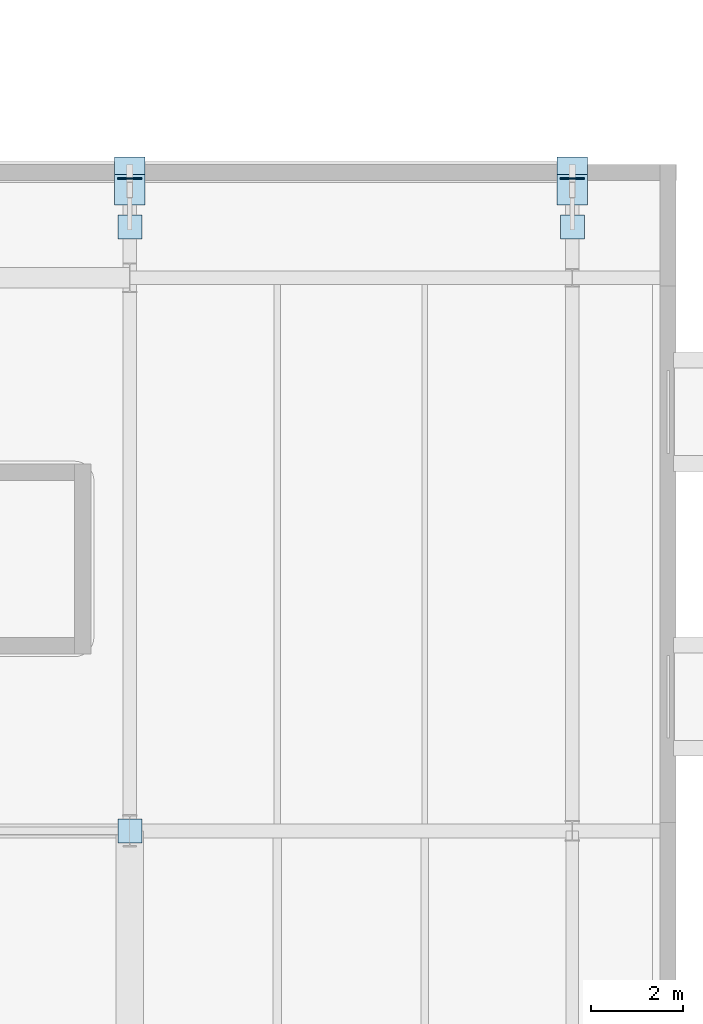
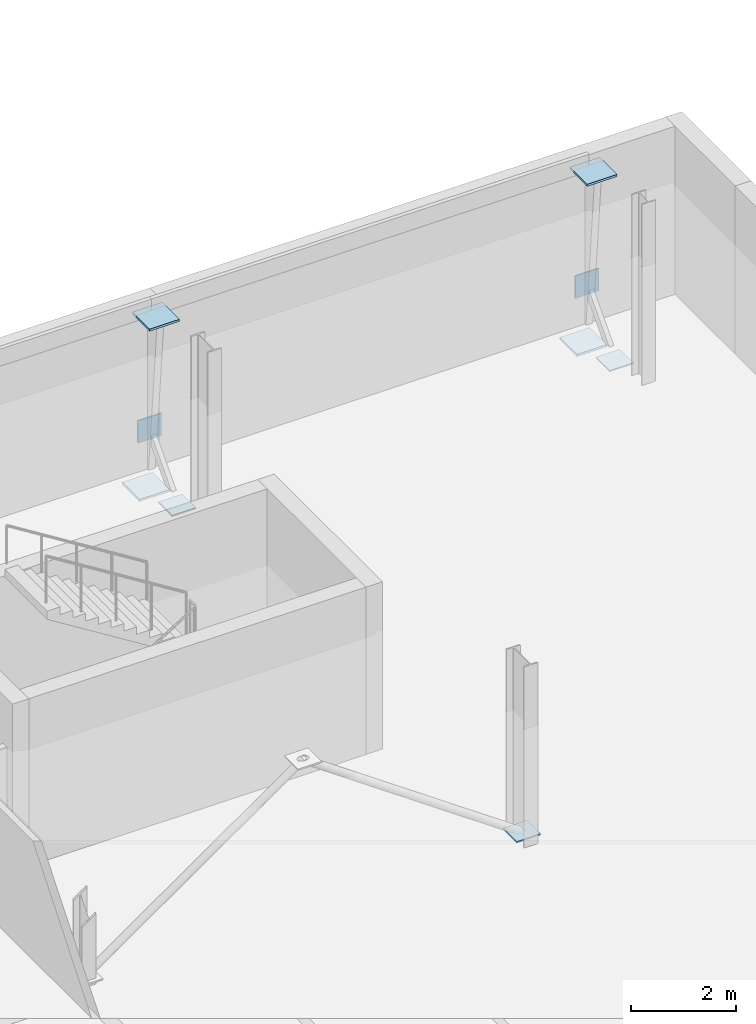
# One storey, part 54 of 90: 9 plates.
"""IFC4 building model written with IfcOpenShell, lengths in metres."""

from ifc_helpers import new_model, si_unit, direction, frame, origin, origin_2d, place, context, subcontext, project, spatial, rectangle, extrude, material, layer, layer_set, type_object, element, save


model = new_model("IFC4")

# Units and contexts
model_context = context("Model", 3, precision=1e-05, world=origin(), true_north=direction((0.0, 1.0)))
body_context = subcontext(model_context, "Body", "Model", "MODEL_VIEW")
ifc_project = project(units=[si_unit("LENGTHUNIT", "METRE"), si_unit("AREAUNIT", "SQUARE_METRE"), si_unit("VOLUMEUNIT", "CUBIC_METRE"), si_unit("PLANEANGLEUNIT", "RADIAN"), si_unit("MASSUNIT", "GRAM", prefix="KILO")], contexts=[model_context])

# Site, building, storey
site_placement = place(None, origin())
site = spatial("IfcSite", under=ifc_project, at=site_placement, CompositionType="ELEMENT")
building_placement = place(site_placement, origin())
building = spatial("IfcBuilding", under=site, at=building_placement, Name="Zereglee Splitstone Museum", CompositionType="ELEMENT")
storey_placement = place(building_placement, frame((0.0, 0.0, 4.800048828125)))
storey = spatial("IfcBuildingStorey", under=building, at=storey_placement, Name="L01", CompositionType="ELEMENT", Elevation=4.800048828125)

# Plates
ifc_material = material(Name="Steel S355J2", Category="steel")
ifc_layer_1 = layer(ifc_material, 0.030029296875)
ifc_layer_set_1 = layer_set([ifc_layer_1], Name="Steel S355J2")
plate_type_1 = type_object("IfcPlateType", Name="NP-04", PredefinedType="SHEET", material=ifc_layer_set_1)
for number, where, z_axis, x_axis, name in (
    (1, (135.60009765625, 38.39990234375, 0.10498046875), (0.0, 0.0, 1.0), (1.0, 0.0, 0.0), "CBF Brace Gusset Cap L01-011"),
    (2, (135.60009765625, 51.5, -0.27490234375), (0.0, 0.0, 1.0), (1.0, 0.0, 0.0), "Facet Tie Seal Plate FH-V2NE"),
):
    element("IfcPlate", number, at=place(storey_placement, frame(where, z_axis=z_axis, x_axis=x_axis)), inside=storey, type_object=plate_type_1, Name=name, PredefinedType="SHEET", context=body_context, shape_type="SweptSolid", body=[
        extrude(rectangle(XDim=0.52001953125, YDim=0.52001953125, at=origin_2d()), origin(), (0.0, 0.0, 1.0), 0.030029296875),
    ])
plate_1_placement = place(storey_placement, frame((135.60009765625, 52.55419921875, 0.639892578125), z_axis=(0.0, 0.0, 1.0), x_axis=(1.0, 0.0, 0.0)))
element("IfcPlate", 3, at=plate_1_placement, inside=storey, type_object=plate_type_1, Name="Facet Tie Seal Plate FH-V2NE", PredefinedType="SHEET", context=body_context, shape_type="SweptSolid", body=[
    extrude(rectangle(XDim=0.52001953125, YDim=0.030029296875, at=origin_2d()), origin(), (0.0, 0.0, 1.0), 0.52001953125),
])
plate_2_placement = place(storey_placement, frame((145.199951171875, 51.5, -0.27490234375), z_axis=(0.0, 0.0, 1.0), x_axis=(1.0, 0.0, 0.0)))
element("IfcPlate", 4, at=plate_2_placement, inside=storey, type_object=plate_type_1, Name="Facet Tie Seal Plate FH-V2NE", PredefinedType="SHEET", context=body_context, shape_type="SweptSolid", body=[
    extrude(rectangle(XDim=0.52001953125, YDim=0.52001953125, at=origin_2d()), origin(), (0.0, 0.0, 1.0), 0.030029296875),
])
plate_3_placement = place(storey_placement, frame((145.199951171875, 52.55419921875, 0.639892578125), z_axis=(0.0, 0.0, 1.0), x_axis=(1.0, 0.0, 0.0)))
element("IfcPlate", 5, at=plate_3_placement, inside=storey, type_object=plate_type_1, Name="Facet Tie Seal Plate FH-V2NE", PredefinedType="SHEET", context=body_context, shape_type="SweptSolid", body=[
    extrude(rectangle(XDim=0.52001953125, YDim=0.030029296875, at=origin_2d()), origin(), (0.0, 0.0, 1.0), 0.52001953125),
])
ifc_layer_2 = layer(ifc_material, 0.050048828125)
ifc_layer_set_2 = layer_set([ifc_layer_2], Name="Steel S355J2")
plate_type_2 = type_object("IfcPlateType", Name="NP-02", PredefinedType="SHEET", material=ifc_layer_set_2)
for number, where, z_axis, x_axis, name in (
    (6, (135.60009765625, 52.6865234375, -0.5751953125), (0.0, 0.0, 1.0), (1.0, 0.0, 0.0), "Facet Strut Seal Plate FH-V2NE"),
    (7, (135.60009765625, 52.304931640625, 3.60498046875), (0.0, 0.0, 1.0), (1.0, 0.0, 0.0), "Facet Strut Seal Plate FH-V2NE"),
    (8, (145.199951171875, 52.6865234375, -0.5751953125), (0.0, 0.0, 1.0), (1.0, 0.0, 0.0), "Facet Strut Seal Plate FH-V2NE"),
    (9, (145.199951171875, 52.304931640625, 3.60498046875), (0.0, 0.0, 1.0), (1.0, 0.0, 0.0), "Facet Strut Seal Plate FH-V2NE"),
):
    element("IfcPlate", number, at=place(storey_placement, frame(where, z_axis=z_axis, x_axis=x_axis)), inside=storey, type_object=plate_type_2, Name=name, PredefinedType="SHEET", context=body_context, shape_type="SweptSolid", body=[
        extrude(rectangle(XDim=0.659912109375, YDim=0.659912109375, at=origin_2d()), origin(), (0.0, 0.0, 1.0), 0.050048828125),
    ])

save(model, "model.ifc")
